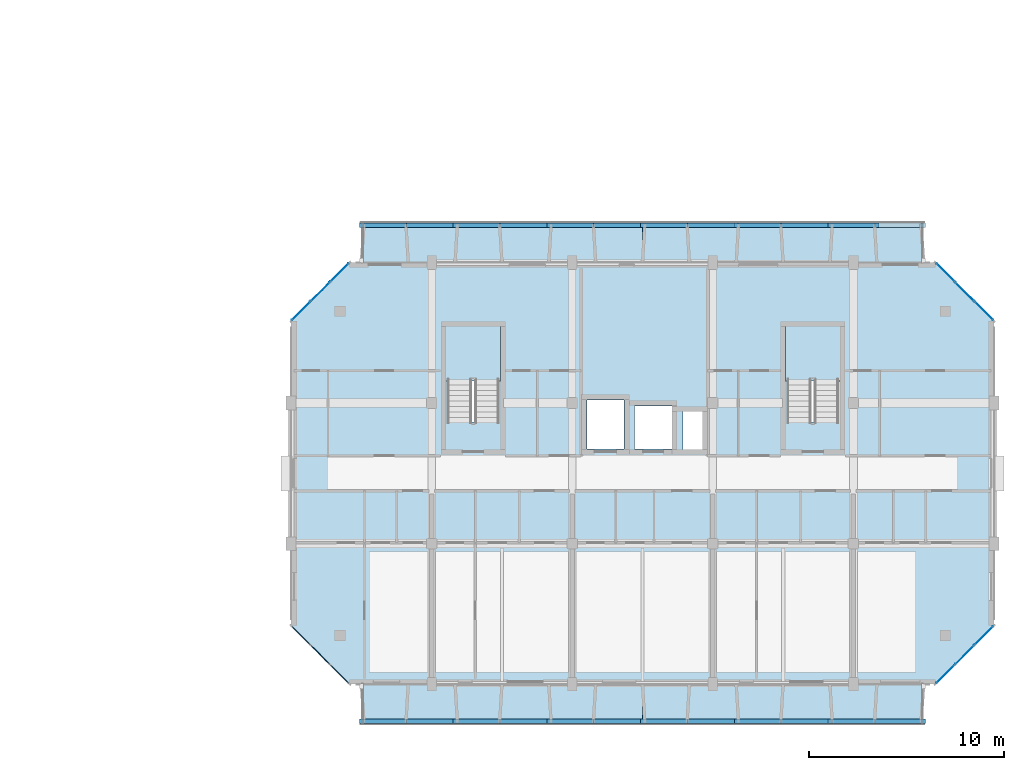
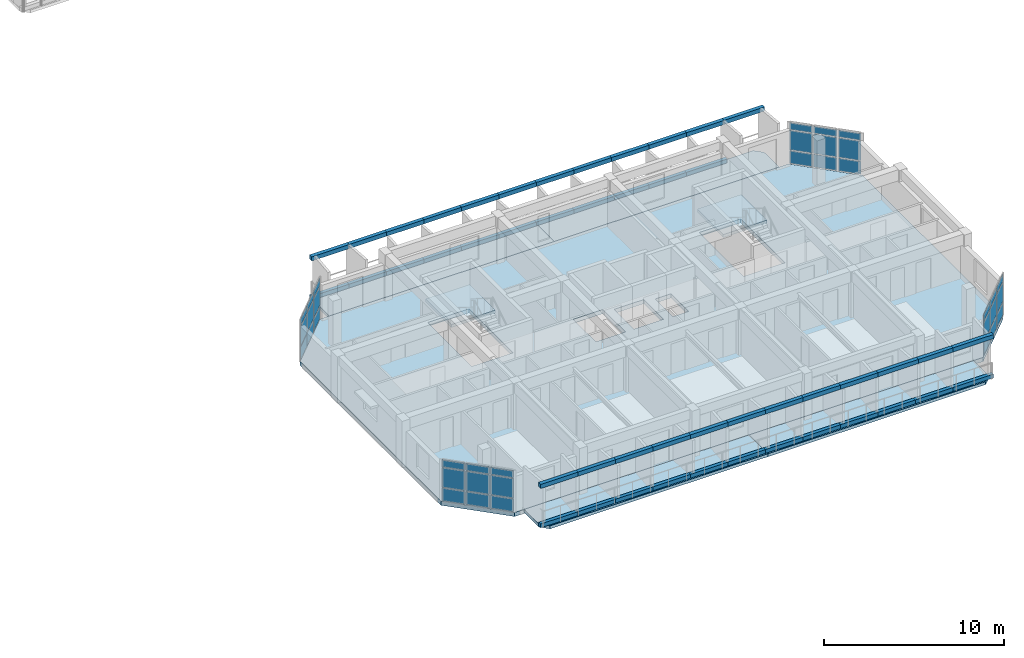
# One storey, part 17 of 51: 83 plates, 7 slabs, 6 elements without a shape of their own.
"""IFC4 building model written with IfcOpenShell, lengths in metres."""

from ifc_helpers import new_model, si_unit, direction, frame, origin, origin_2d, place, context, subcontext, project, spatial, polyline, rectangle, outline, extrude, material, layer, layer_set, type_object, element, aggregate, save


model = new_model("IFC4")

# Units and contexts
model_context = context("Model", 3, precision=1e-05, world=origin(), true_north=direction((0.0, 1.0)))
body_context = subcontext(model_context, "Body", "Model", "MODEL_VIEW")
ifc_project = project(units=[si_unit("LENGTHUNIT", "METRE"), si_unit("AREAUNIT", "SQUARE_METRE"), si_unit("VOLUMEUNIT", "CUBIC_METRE"), si_unit("PLANEANGLEUNIT", "RADIAN"), si_unit("MASSUNIT", "GRAM", prefix="KILO")], contexts=[model_context])

# Site, building, storey
site_placement = place(None, origin())
site = spatial("IfcSite", under=ifc_project, at=site_placement, CompositionType="ELEMENT")
building_placement = place(site_placement, origin())
building = spatial("IfcBuilding", under=site, at=building_placement, Name="Ochrevale Crest", CompositionType="ELEMENT")
storey_placement = place(building_placement, frame((0.0, 0.0, 11.85009765625)))
storey = spatial("IfcBuildingStorey", under=building, at=storey_placement, Name="L03", CompositionType="ELEMENT", Elevation=11.85009765625)

# Curtain wall, plates
ifc_material_1 = material(Name="Anodised aluminium 6063-T5", Category="aluminium")
ifc_layer_1 = layer(ifc_material_1, 0.14990234375)
ifc_layer_set_1 = layer_set([ifc_layer_1], Name="Anodised aluminium 6063-T5")
curtain_wall_type_1 = type_object("IfcCurtainWallType", Name="CW-WG-240x285", PredefinedType="NOTDEFINED", material=ifc_layer_set_1)
curtain_wall_1_placement = place(storey_placement, origin())
curtain_wall_1 = element("IfcCurtainWall", 1, at=curtain_wall_1_placement, inside=storey, type_object=curtain_wall_type_1, Name="Block C L03 chamfered corner wintergarden curtain wall 2", PredefinedType="NOTDEFINED")
ifc_material_2 = material(Name="Double-glazed low-E insulated glass unit", Category="glass")
ifc_layer_2 = layer(ifc_material_2, 0.028076171875)
ifc_layer_set_2 = layer_set([ifc_layer_2], Name="Double-glazed low-E insulated glass unit")
plate_type_1 = type_object("IfcPlateType", Name="CW-PNL-IGU28", PredefinedType="CURTAIN_PANEL", material=ifc_layer_set_2)
plate_1_placement = place(storey_placement, frame((163.11328125, 14.913330078125, 0.06005859375), z_axis=(0.0, 0.0, 1.0), x_axis=(0.707106781187, 0.707106781187, 0.0)))
plate_1 = element("IfcPlate", 2, at=plate_1_placement, type_object=plate_type_1, Name="CW15 panel 1.1", PredefinedType="CURTAIN_PANEL", context=body_context, shape_type="SweptSolid", body=[
    extrude(rectangle(XDim=1.3017578125, YDim=0.028076171875, at=origin_2d()), origin(), (0.0, 0.0, 1.0), 0.860107421875),
])
plate_2_placement = place(storey_placement, frame((163.11328125, 14.913330078125, 0.97998046875), z_axis=(0.0, 0.0, 1.0), x_axis=(0.707106781187, 0.707106781187, 0.0)))
plate_2 = element("IfcPlate", 3, at=plate_2_placement, type_object=plate_type_1, Name="CW15 panel 1.2", PredefinedType="CURTAIN_PANEL", context=body_context, shape_type="SweptSolid", body=[
    extrude(rectangle(XDim=1.3017578125, YDim=0.028076171875, at=origin_2d()), origin(), (0.0, 0.0, 1.0), 1.31494140625),
])
plate_3_placement = place(storey_placement, frame((163.11328125, 14.913330078125, 2.35498046875), z_axis=(0.0, 0.0, 1.0), x_axis=(0.707106781187, 0.707106781187, 0.0)))
plate_3 = element("IfcPlate", 4, at=plate_3_placement, type_object=plate_type_1, Name="CW15 panel 1.3", PredefinedType="CURTAIN_PANEL", context=body_context, shape_type="SweptSolid", body=[
    extrude(rectangle(XDim=1.3017578125, YDim=0.028076171875, at=origin_2d()), origin(), (0.0, 0.0, 1.0), 0.4599609375),
])
plate_4_placement = place(storey_placement, frame((164.10009765625, 15.89990234375, 0.06005859375), z_axis=(0.0, 0.0, 1.0), x_axis=(0.707106781187, 0.707106781187, 0.0)))
plate_4 = element("IfcPlate", 5, at=plate_4_placement, type_object=plate_type_1, Name="CW15 panel 2.1", PredefinedType="CURTAIN_PANEL", context=body_context, shape_type="SweptSolid", body=[
    extrude(rectangle(XDim=1.339111328125, YDim=0.028076171875, at=origin_2d()), origin(), (0.0, 0.0, 1.0), 0.860107421875),
])
plate_5_placement = place(storey_placement, frame((164.10009765625, 15.89990234375, 0.97998046875), z_axis=(0.0, 0.0, 1.0), x_axis=(0.707106781187, 0.707106781187, 0.0)))
plate_5 = element("IfcPlate", 6, at=plate_5_placement, type_object=plate_type_1, Name="CW15 panel 2.2", PredefinedType="CURTAIN_PANEL", context=body_context, shape_type="SweptSolid", body=[
    extrude(rectangle(XDim=1.339111328125, YDim=0.028076171875, at=origin_2d()), origin(), (0.0, 0.0, 1.0), 1.31494140625),
])
plate_6_placement = place(storey_placement, frame((164.10009765625, 15.89990234375, 2.35498046875), z_axis=(0.0, 0.0, 1.0), x_axis=(0.707106781187, 0.707106781187, 0.0)))
plate_6 = element("IfcPlate", 7, at=plate_6_placement, type_object=plate_type_1, Name="CW15 panel 2.3", PredefinedType="CURTAIN_PANEL", context=body_context, shape_type="SweptSolid", body=[
    extrude(rectangle(XDim=1.339111328125, YDim=0.028076171875, at=origin_2d()), origin(), (0.0, 0.0, 1.0), 0.4599609375),
])
plate_7_placement = place(storey_placement, frame((165.086669921875, 16.88671875, 0.06005859375), z_axis=(0.0, 0.0, 1.0), x_axis=(0.707106781187, 0.707106781187, 0.0)))
plate_7 = element("IfcPlate", 8, at=plate_7_placement, type_object=plate_type_1, Name="CW15 panel 3.1", PredefinedType="CURTAIN_PANEL", context=body_context, shape_type="SweptSolid", body=[
    extrude(rectangle(XDim=1.3017578125, YDim=0.028076171875, at=origin_2d()), origin(), (0.0, 0.0, 1.0), 0.860107421875),
])
plate_8_placement = place(storey_placement, frame((165.086669921875, 16.88671875, 0.97998046875), z_axis=(0.0, 0.0, 1.0), x_axis=(0.707106781187, 0.707106781187, 0.0)))
plate_8 = element("IfcPlate", 9, at=plate_8_placement, type_object=plate_type_1, Name="CW15 panel 3.2", PredefinedType="CURTAIN_PANEL", context=body_context, shape_type="SweptSolid", body=[
    extrude(rectangle(XDim=1.3017578125, YDim=0.028076171875, at=origin_2d()), origin(), (0.0, 0.0, 1.0), 1.31494140625),
])
plate_9_placement = place(storey_placement, frame((165.086669921875, 16.88671875, 2.35498046875), z_axis=(0.0, 0.0, 1.0), x_axis=(0.707106781187, 0.707106781187, 0.0)))
plate_9 = element("IfcPlate", 10, at=plate_9_placement, type_object=plate_type_1, Name="CW15 panel 3.3", PredefinedType="CURTAIN_PANEL", context=body_context, shape_type="SweptSolid", body=[
    extrude(rectangle(XDim=1.3017578125, YDim=0.028076171875, at=origin_2d()), origin(), (0.0, 0.0, 1.0), 0.4599609375),
])
aggregate(curtain_wall_1, [plate_1, plate_2, plate_3, plate_4, plate_5, plate_6, plate_7, plate_8, plate_9])

ifc_layer_3 = layer(ifc_material_1, 0.14990234375)
ifc_layer_set_3 = layer_set([ifc_layer_3], Name="Anodised aluminium 6063-T5")
curtain_wall_type_2 = type_object("IfcCurtainWallType", Name="CW-WG-320x285", PredefinedType="NOTDEFINED", material=ifc_layer_set_3)
curtain_wall_2_placement = place(storey_placement, origin())
curtain_wall_2 = element("IfcCurtainWall", 11, at=curtain_wall_2_placement, inside=storey, type_object=curtain_wall_type_2, Name="Block C L03 chamfered corner wintergarden curtain wall 4", PredefinedType="NOTDEFINED")
plate_10_placement = place(storey_placement, frame((165.086669921875, 33.51318359375, 0.06005859375), z_axis=(0.0, 0.0, 1.0), x_axis=(-0.707106781187, 0.707106781187, 0.0)))
plate_10 = element("IfcPlate", 12, at=plate_10_placement, type_object=plate_type_1, Name="CW17 panel 1.1", PredefinedType="CURTAIN_PANEL", context=body_context, shape_type="SweptSolid", body=[
    extrude(rectangle(XDim=1.3017578125, YDim=0.028076171875, at=origin_2d()), origin(), (0.0, 0.0, 1.0), 0.860107421875),
])
plate_11_placement = place(storey_placement, frame((165.086669921875, 33.51318359375, 0.97998046875), z_axis=(0.0, 0.0, 1.0), x_axis=(-0.707106781187, 0.707106781187, 0.0)))
plate_11 = element("IfcPlate", 13, at=plate_11_placement, type_object=plate_type_1, Name="CW17 panel 1.2", PredefinedType="CURTAIN_PANEL", context=body_context, shape_type="SweptSolid", body=[
    extrude(rectangle(XDim=1.3017578125, YDim=0.028076171875, at=origin_2d()), origin(), (0.0, 0.0, 1.0), 1.31494140625),
])
plate_12_placement = place(storey_placement, frame((165.086669921875, 33.51318359375, 2.35498046875), z_axis=(0.0, 0.0, 1.0), x_axis=(-0.707106781187, 0.707106781187, 0.0)))
plate_12 = element("IfcPlate", 14, at=plate_12_placement, type_object=plate_type_1, Name="CW17 panel 1.3", PredefinedType="CURTAIN_PANEL", context=body_context, shape_type="SweptSolid", body=[
    extrude(rectangle(XDim=1.3017578125, YDim=0.028076171875, at=origin_2d()), origin(), (0.0, 0.0, 1.0), 0.4599609375),
])
plate_13_placement = place(storey_placement, frame((164.10009765625, 34.5, 0.06005859375), z_axis=(0.0, 0.0, 1.0), x_axis=(-0.707106781187, 0.707106781187, 0.0)))
plate_13 = element("IfcPlate", 15, at=plate_13_placement, type_object=plate_type_1, Name="CW17 panel 2.1", PredefinedType="CURTAIN_PANEL", context=body_context, shape_type="SweptSolid", body=[
    extrude(rectangle(XDim=1.339111328125, YDim=0.028076171875, at=origin_2d()), origin(), (0.0, 0.0, 1.0), 0.860107421875),
])
plate_14_placement = place(storey_placement, frame((164.10009765625, 34.5, 0.97998046875), z_axis=(0.0, 0.0, 1.0), x_axis=(-0.707106781187, 0.707106781187, 0.0)))
plate_14 = element("IfcPlate", 16, at=plate_14_placement, type_object=plate_type_1, Name="CW17 panel 2.2", PredefinedType="CURTAIN_PANEL", context=body_context, shape_type="SweptSolid", body=[
    extrude(rectangle(XDim=1.339111328125, YDim=0.028076171875, at=origin_2d()), origin(), (0.0, 0.0, 1.0), 1.31494140625),
])
plate_15_placement = place(storey_placement, frame((164.10009765625, 34.5, 2.35498046875), z_axis=(0.0, 0.0, 1.0), x_axis=(-0.707106781187, 0.707106781187, 0.0)))
plate_15 = element("IfcPlate", 17, at=plate_15_placement, type_object=plate_type_1, Name="CW17 panel 2.3", PredefinedType="CURTAIN_PANEL", context=body_context, shape_type="SweptSolid", body=[
    extrude(rectangle(XDim=1.339111328125, YDim=0.028076171875, at=origin_2d()), origin(), (0.0, 0.0, 1.0), 0.4599609375),
])
plate_16_placement = place(storey_placement, frame((163.11328125, 35.48681640625, 0.06005859375), z_axis=(0.0, 0.0, 1.0), x_axis=(-0.707106781187, 0.707106781187, 0.0)))
plate_16 = element("IfcPlate", 18, at=plate_16_placement, type_object=plate_type_1, Name="CW17 panel 3.1", PredefinedType="CURTAIN_PANEL", context=body_context, shape_type="SweptSolid", body=[
    extrude(rectangle(XDim=1.3017578125, YDim=0.028076171875, at=origin_2d()), origin(), (0.0, 0.0, 1.0), 0.860107421875),
])
plate_17_placement = place(storey_placement, frame((163.11328125, 35.48681640625, 0.97998046875), z_axis=(0.0, 0.0, 1.0), x_axis=(-0.707106781187, 0.707106781187, 0.0)))
plate_17 = element("IfcPlate", 19, at=plate_17_placement, type_object=plate_type_1, Name="CW17 panel 3.2", PredefinedType="CURTAIN_PANEL", context=body_context, shape_type="SweptSolid", body=[
    extrude(rectangle(XDim=1.3017578125, YDim=0.028076171875, at=origin_2d()), origin(), (0.0, 0.0, 1.0), 1.31494140625),
])
plate_18_placement = place(storey_placement, frame((163.11328125, 35.48681640625, 2.35498046875), z_axis=(0.0, 0.0, 1.0), x_axis=(-0.707106781187, 0.707106781187, 0.0)))
plate_18 = element("IfcPlate", 20, at=plate_18_placement, type_object=plate_type_1, Name="CW17 panel 3.3", PredefinedType="CURTAIN_PANEL", context=body_context, shape_type="SweptSolid", body=[
    extrude(rectangle(XDim=1.3017578125, YDim=0.028076171875, at=origin_2d()), origin(), (0.0, 0.0, 1.0), 0.4599609375),
])
aggregate(curtain_wall_2, [plate_10, plate_11, plate_12, plate_13, plate_14, plate_15, plate_16, plate_17, plate_18])

ifc_layer_4 = layer(ifc_material_1, 0.14990234375)
ifc_layer_set_4 = layer_set([ifc_layer_4], Name="Anodised aluminium 6063-T5")
curtain_wall_type_3 = type_object("IfcCurtainWallType", Name="CW-WG-420x285", PredefinedType="NOTDEFINED", material=ifc_layer_set_4)
curtain_wall_3_placement = place(storey_placement, origin())
curtain_wall_3 = element("IfcCurtainWall", 21, at=curtain_wall_3_placement, inside=storey, type_object=curtain_wall_type_3, Name="Block C L03 chamfered corner wintergarden curtain wall 6", PredefinedType="NOTDEFINED")
plate_19_placement = place(storey_placement, frame((132.086669921875, 35.48681640625, 0.06005859375), z_axis=(0.0, 0.0, 1.0), x_axis=(-0.707106781187, -0.707106781187, 0.0)))
plate_19 = element("IfcPlate", 22, at=plate_19_placement, type_object=plate_type_1, Name="CW22 panel 1.1", PredefinedType="CURTAIN_PANEL", context=body_context, shape_type="SweptSolid", body=[
    extrude(rectangle(XDim=1.3017578125, YDim=0.028076171875, at=origin_2d()), origin(), (0.0, 0.0, 1.0), 0.860107421875),
])
plate_20_placement = place(storey_placement, frame((132.086669921875, 35.48681640625, 0.97998046875), z_axis=(0.0, 0.0, 1.0), x_axis=(-0.707106781187, -0.707106781187, 0.0)))
plate_20 = element("IfcPlate", 23, at=plate_20_placement, type_object=plate_type_1, Name="CW22 panel 1.2", PredefinedType="CURTAIN_PANEL", context=body_context, shape_type="SweptSolid", body=[
    extrude(rectangle(XDim=1.3017578125, YDim=0.028076171875, at=origin_2d()), origin(), (0.0, 0.0, 1.0), 1.31494140625),
])
plate_21_placement = place(storey_placement, frame((132.086669921875, 35.48681640625, 2.35498046875), z_axis=(0.0, 0.0, 1.0), x_axis=(-0.707106781187, -0.707106781187, 0.0)))
plate_21 = element("IfcPlate", 24, at=plate_21_placement, type_object=plate_type_1, Name="CW22 panel 1.3", PredefinedType="CURTAIN_PANEL", context=body_context, shape_type="SweptSolid", body=[
    extrude(rectangle(XDim=1.3017578125, YDim=0.028076171875, at=origin_2d()), origin(), (0.0, 0.0, 1.0), 0.4599609375),
])
plate_22_placement = place(storey_placement, frame((131.10009765625, 34.5, 0.06005859375), z_axis=(0.0, 0.0, 1.0), x_axis=(-0.707106781187, -0.707106781187, 0.0)))
plate_22 = element("IfcPlate", 25, at=plate_22_placement, type_object=plate_type_1, Name="CW22 panel 2.1", PredefinedType="CURTAIN_PANEL", context=body_context, shape_type="SweptSolid", body=[
    extrude(rectangle(XDim=1.339111328125, YDim=0.028076171875, at=origin_2d()), origin(), (0.0, 0.0, 1.0), 0.860107421875),
])
plate_23_placement = place(storey_placement, frame((131.10009765625, 34.5, 0.97998046875), z_axis=(0.0, 0.0, 1.0), x_axis=(-0.707106781187, -0.707106781187, 0.0)))
plate_23 = element("IfcPlate", 26, at=plate_23_placement, type_object=plate_type_1, Name="CW22 panel 2.2", PredefinedType="CURTAIN_PANEL", context=body_context, shape_type="SweptSolid", body=[
    extrude(rectangle(XDim=1.339111328125, YDim=0.028076171875, at=origin_2d()), origin(), (0.0, 0.0, 1.0), 1.31494140625),
])
plate_24_placement = place(storey_placement, frame((131.10009765625, 34.5, 2.35498046875), z_axis=(0.0, 0.0, 1.0), x_axis=(-0.707106781187, -0.707106781187, 0.0)))
plate_24 = element("IfcPlate", 27, at=plate_24_placement, type_object=plate_type_1, Name="CW22 panel 2.3", PredefinedType="CURTAIN_PANEL", context=body_context, shape_type="SweptSolid", body=[
    extrude(rectangle(XDim=1.339111328125, YDim=0.028076171875, at=origin_2d()), origin(), (0.0, 0.0, 1.0), 0.4599609375),
])
plate_25_placement = place(storey_placement, frame((130.11328125, 33.51318359375, 0.06005859375), z_axis=(0.0, 0.0, 1.0), x_axis=(-0.707106781187, -0.707106781187, 0.0)))
plate_25 = element("IfcPlate", 28, at=plate_25_placement, type_object=plate_type_1, Name="CW22 panel 3.1", PredefinedType="CURTAIN_PANEL", context=body_context, shape_type="SweptSolid", body=[
    extrude(rectangle(XDim=1.3017578125, YDim=0.028076171875, at=origin_2d()), origin(), (0.0, 0.0, 1.0), 0.860107421875),
])
plate_26_placement = place(storey_placement, frame((130.11328125, 33.51318359375, 0.97998046875), z_axis=(0.0, 0.0, 1.0), x_axis=(-0.707106781187, -0.707106781187, 0.0)))
plate_26 = element("IfcPlate", 29, at=plate_26_placement, type_object=plate_type_1, Name="CW22 panel 3.2", PredefinedType="CURTAIN_PANEL", context=body_context, shape_type="SweptSolid", body=[
    extrude(rectangle(XDim=1.3017578125, YDim=0.028076171875, at=origin_2d()), origin(), (0.0, 0.0, 1.0), 1.31494140625),
])
plate_27_placement = place(storey_placement, frame((130.11328125, 33.51318359375, 2.35498046875), z_axis=(0.0, 0.0, 1.0), x_axis=(-0.707106781187, -0.707106781187, 0.0)))
plate_27 = element("IfcPlate", 30, at=plate_27_placement, type_object=plate_type_1, Name="CW22 panel 3.3", PredefinedType="CURTAIN_PANEL", context=body_context, shape_type="SweptSolid", body=[
    extrude(rectangle(XDim=1.3017578125, YDim=0.028076171875, at=origin_2d()), origin(), (0.0, 0.0, 1.0), 0.4599609375),
])
aggregate(curtain_wall_3, [plate_19, plate_20, plate_21, plate_22, plate_23, plate_24, plate_25, plate_26, plate_27])

ifc_layer_5 = layer(ifc_material_1, 0.14990234375)
ifc_layer_set_5 = layer_set([ifc_layer_5], Name="Anodised aluminium 6063-T5")
curtain_wall_type_4 = type_object("IfcCurtainWallType", Name="CW-WG-280x285", PredefinedType="NOTDEFINED", material=ifc_layer_set_5)
curtain_wall_4_placement = place(storey_placement, origin())
curtain_wall_4 = element("IfcCurtainWall", 31, at=curtain_wall_4_placement, inside=storey, type_object=curtain_wall_type_4, Name="Block C L03 chamfered corner wintergarden curtain wall 8", PredefinedType="NOTDEFINED")
ifc_material_3 = material(Name="Acoustic laminated low-E insulated glass unit", Category="glass")
ifc_layer_6 = layer(ifc_material_3, 0.0380859375)
ifc_layer_set_6 = layer_set([ifc_layer_6], Name="Acoustic laminated low-E insulated glass unit")
plate_type_2 = type_object("IfcPlateType", Name="CW-PNL-IGU38", PredefinedType="CURTAIN_PANEL", material=ifc_layer_set_6)
plate_28_placement = place(storey_placement, frame((130.11328125, 16.88671875, 0.06005859375), z_axis=(0.0, 0.0, 1.0), x_axis=(0.707106781187, -0.707106781187, 0.0)))
plate_28 = element("IfcPlate", 32, at=plate_28_placement, type_object=plate_type_2, Name="CW16 panel 1.1", PredefinedType="CURTAIN_PANEL", context=body_context, shape_type="SweptSolid", body=[
    extrude(rectangle(XDim=1.3017578125, YDim=0.0380859375, at=origin_2d()), origin(), (0.0, 0.0, 1.0), 0.860107421875),
])
plate_29_placement = place(storey_placement, frame((130.11328125, 16.88671875, 0.97998046875), z_axis=(0.0, 0.0, 1.0), x_axis=(0.707106781187, -0.707106781187, 0.0)))
plate_29 = element("IfcPlate", 33, at=plate_29_placement, type_object=plate_type_2, Name="CW16 panel 1.2", PredefinedType="CURTAIN_PANEL", context=body_context, shape_type="SweptSolid", body=[
    extrude(rectangle(XDim=1.3017578125, YDim=0.0380859375, at=origin_2d()), origin(), (0.0, 0.0, 1.0), 1.31494140625),
])
plate_30_placement = place(storey_placement, frame((130.11328125, 16.88671875, 2.35498046875), z_axis=(0.0, 0.0, 1.0), x_axis=(0.707106781187, -0.707106781187, 0.0)))
plate_30 = element("IfcPlate", 34, at=plate_30_placement, type_object=plate_type_2, Name="CW16 panel 1.3", PredefinedType="CURTAIN_PANEL", context=body_context, shape_type="SweptSolid", body=[
    extrude(rectangle(XDim=1.3017578125, YDim=0.0380859375, at=origin_2d()), origin(), (0.0, 0.0, 1.0), 0.4599609375),
])
plate_31_placement = place(storey_placement, frame((131.10009765625, 15.89990234375, 0.06005859375), z_axis=(0.0, 0.0, 1.0), x_axis=(0.707106781187, -0.707106781187, 0.0)))
plate_31 = element("IfcPlate", 35, at=plate_31_placement, type_object=plate_type_2, Name="CW16 panel 2.1", PredefinedType="CURTAIN_PANEL", context=body_context, shape_type="SweptSolid", body=[
    extrude(rectangle(XDim=1.339111328125, YDim=0.0380859375, at=origin_2d()), origin(), (0.0, 0.0, 1.0), 0.860107421875),
])
plate_32_placement = place(storey_placement, frame((131.10009765625, 15.89990234375, 0.97998046875), z_axis=(0.0, 0.0, 1.0), x_axis=(0.707106781187, -0.707106781187, 0.0)))
plate_32 = element("IfcPlate", 36, at=plate_32_placement, type_object=plate_type_2, Name="CW16 panel 2.2", PredefinedType="CURTAIN_PANEL", context=body_context, shape_type="SweptSolid", body=[
    extrude(rectangle(XDim=1.339111328125, YDim=0.0380859375, at=origin_2d()), origin(), (0.0, 0.0, 1.0), 1.31494140625),
])
plate_33_placement = place(storey_placement, frame((131.10009765625, 15.89990234375, 2.35498046875), z_axis=(0.0, 0.0, 1.0), x_axis=(0.707106781187, -0.707106781187, 0.0)))
plate_33 = element("IfcPlate", 37, at=plate_33_placement, type_object=plate_type_2, Name="CW16 panel 2.3", PredefinedType="CURTAIN_PANEL", context=body_context, shape_type="SweptSolid", body=[
    extrude(rectangle(XDim=1.339111328125, YDim=0.0380859375, at=origin_2d()), origin(), (0.0, 0.0, 1.0), 0.4599609375),
])
plate_34_placement = place(storey_placement, frame((132.086669921875, 14.913330078125, 0.06005859375), z_axis=(0.0, 0.0, 1.0), x_axis=(0.707106781187, -0.707106781187, 0.0)))
plate_34 = element("IfcPlate", 38, at=plate_34_placement, type_object=plate_type_2, Name="CW16 panel 3.1", PredefinedType="CURTAIN_PANEL", context=body_context, shape_type="SweptSolid", body=[
    extrude(rectangle(XDim=1.3017578125, YDim=0.0380859375, at=origin_2d()), origin(), (0.0, 0.0, 1.0), 0.860107421875),
])
plate_35_placement = place(storey_placement, frame((132.086669921875, 14.913330078125, 0.97998046875), z_axis=(0.0, 0.0, 1.0), x_axis=(0.707106781187, -0.707106781187, 0.0)))
plate_35 = element("IfcPlate", 39, at=plate_35_placement, type_object=plate_type_2, Name="CW16 panel 3.2", PredefinedType="CURTAIN_PANEL", context=body_context, shape_type="SweptSolid", body=[
    extrude(rectangle(XDim=1.3017578125, YDim=0.0380859375, at=origin_2d()), origin(), (0.0, 0.0, 1.0), 1.31494140625),
])
plate_36_placement = place(storey_placement, frame((132.086669921875, 14.913330078125, 2.35498046875), z_axis=(0.0, 0.0, 1.0), x_axis=(0.707106781187, -0.707106781187, 0.0)))
plate_36 = element("IfcPlate", 40, at=plate_36_placement, type_object=plate_type_2, Name="CW16 panel 3.3", PredefinedType="CURTAIN_PANEL", context=body_context, shape_type="SweptSolid", body=[
    extrude(rectangle(XDim=1.3017578125, YDim=0.0380859375, at=origin_2d()), origin(), (0.0, 0.0, 1.0), 0.4599609375),
])
aggregate(curtain_wall_4, [plate_28, plate_29, plate_30, plate_31, plate_32, plate_33, plate_34, plate_35, plate_36])

# Plates
ifc_material_4 = material(Name="Precast concrete C40/50", Category="concrete")
ifc_layer_7 = layer(ifc_material_4, 0.06005859375)
ifc_layer_set_7 = layer_set([ifc_layer_7], Name="Precast concrete C40/50")
plate_type_3 = type_object("IfcPlateType", Name="PLT-HC-HEAD-60", PredefinedType="USERDEFINED", material=ifc_layer_set_7)
for number, where, z_axis, x_axis, name in (
    (41, (134.39990234375, 12.5, 2.669921875), (0.0, 0.0, 1.0), (1.0, 0.0, 0.0), "Block C L03 S honeycomb arched lintel fascia 1"),
    (42, (136.800048828125, 12.5, 2.669921875), (0.0, 0.0, 1.0), (1.0, 0.0, 0.0), "Block C L03 S honeycomb arched lintel fascia 2"),
    (43, (139.199951171875, 12.5, 2.669921875), (0.0, 0.0, 1.0), (1.0, 0.0, 0.0), "Block C L03 S honeycomb arched lintel fascia 3"),
    (44, (141.60009765625, 12.5, 2.669921875), (0.0, 0.0, 1.0), (1.0, 0.0, 0.0), "Block C L03 S honeycomb arched lintel fascia 4"),
    (45, (144.0, 12.5, 2.669921875), (0.0, 0.0, 1.0), (1.0, 0.0, 0.0), "Block C L03 S honeycomb arched lintel fascia 5"),
    (46, (146.39990234375, 12.5, 2.669921875), (0.0, 0.0, 1.0), (1.0, 0.0, 0.0), "Block C L03 S honeycomb arched lintel fascia 6"),
    (47, (148.800048828125, 12.5, 2.669921875), (0.0, 0.0, 1.0), (1.0, 0.0, 0.0), "Block C L03 S honeycomb arched lintel fascia 7"),
    (48, (151.199951171875, 12.5, 2.669921875), (0.0, 0.0, 1.0), (1.0, 0.0, 0.0), "Block C L03 S honeycomb arched lintel fascia 8"),
    (49, (153.60009765625, 12.5, 2.669921875), (0.0, 0.0, 1.0), (1.0, 0.0, 0.0), "Block C L03 S honeycomb arched lintel fascia 9"),
    (50, (156.0, 12.5, 2.669921875), (0.0, 0.0, 1.0), (1.0, 0.0, 0.0), "Block C L03 S honeycomb arched lintel fascia 10"),
    (51, (158.39990234375, 12.5, 2.669921875), (0.0, 0.0, 1.0), (1.0, 0.0, 0.0), "Block C L03 S honeycomb arched lintel fascia 11"),
    (52, (160.800048828125, 12.5, 2.669921875), (0.0, 0.0, 1.0), (1.0, 0.0, 0.0), "Block C L03 S honeycomb arched lintel fascia 12"),
    (53, (134.39990234375, 37.89990234375, 2.669921875), (0.0, 0.0, 1.0), (1.0, 0.0, 0.0), "Block C L03 N honeycomb arched lintel fascia 1"),
    (54, (136.800048828125, 37.89990234375, 2.669921875), (0.0, 0.0, 1.0), (1.0, 0.0, 0.0), "Block C L03 N honeycomb arched lintel fascia 2"),
    (55, (139.199951171875, 37.89990234375, 2.669921875), (0.0, 0.0, 1.0), (1.0, 0.0, 0.0), "Block C L03 N honeycomb arched lintel fascia 3"),
    (56, (141.60009765625, 37.89990234375, 2.669921875), (0.0, 0.0, 1.0), (1.0, 0.0, 0.0), "Block C L03 N honeycomb arched lintel fascia 4"),
    (57, (144.0, 37.89990234375, 2.669921875), (0.0, 0.0, 1.0), (1.0, 0.0, 0.0), "Block C L03 N honeycomb arched lintel fascia 5"),
    (58, (146.39990234375, 37.89990234375, 2.669921875), (0.0, 0.0, 1.0), (1.0, 0.0, 0.0), "Block C L03 N honeycomb arched lintel fascia 6"),
    (59, (148.800048828125, 37.89990234375, 2.669921875), (0.0, 0.0, 1.0), (1.0, 0.0, 0.0), "Block C L03 N honeycomb arched lintel fascia 7"),
    (60, (151.199951171875, 37.89990234375, 2.669921875), (0.0, 0.0, 1.0), (1.0, 0.0, 0.0), "Block C L03 N honeycomb arched lintel fascia 8"),
    (61, (153.60009765625, 37.89990234375, 2.669921875), (0.0, 0.0, 1.0), (1.0, 0.0, 0.0), "Block C L03 N honeycomb arched lintel fascia 9"),
    (62, (156.0, 37.89990234375, 2.669921875), (0.0, 0.0, 1.0), (1.0, 0.0, 0.0), "Block C L03 N honeycomb arched lintel fascia 10"),
    (63, (158.39990234375, 37.89990234375, 2.669921875), (0.0, 0.0, 1.0), (1.0, 0.0, 0.0), "Block C L03 N honeycomb arched lintel fascia 11"),
    (64, (160.800048828125, 37.89990234375, 2.669921875), (0.0, 0.0, 1.0), (1.0, 0.0, 0.0), "Block C L03 N honeycomb arched lintel fascia 12"),
):
    element("IfcPlate", number, at=place(storey_placement, frame(where, z_axis=z_axis, x_axis=x_axis)), inside=storey, type_object=plate_type_3, Name=name, ObjectType="FACADE FASCIA PLATE", PredefinedType="USERDEFINED", context=body_context, shape_type="SweptSolid", body=[
        extrude(rectangle(XDim=2.60009765625, YDim=0.239990234375, at=origin_2d()), origin(), (0.0, 0.0, 1.0), 0.280029296875),
    ])
ifc_layer_8 = layer(ifc_material_4, 0.044921875)
ifc_layer_set_8 = layer_set([ifc_layer_8], Name="Precast concrete C40/50")
plate_type_4 = type_object("IfcPlateType", Name="PLT-HC-SILL-45", PredefinedType="USERDEFINED", material=ifc_layer_set_8)
for number, where, z_axis, x_axis, name in (
    (65, (134.39990234375, 12.5, 0.0), (0.0, 0.0, 1.0), (1.0, 0.0, 0.0), "Block C L03 S honeycomb sill coping plate 1"),
    (66, (136.800048828125, 12.5, 0.0), (0.0, 0.0, 1.0), (1.0, 0.0, 0.0), "Block C L03 S honeycomb sill coping plate 2"),
    (67, (139.199951171875, 12.5, 0.0), (0.0, 0.0, 1.0), (1.0, 0.0, 0.0), "Block C L03 S honeycomb sill coping plate 3"),
    (68, (141.60009765625, 12.5, 0.0), (0.0, 0.0, 1.0), (1.0, 0.0, 0.0), "Block C L03 S honeycomb sill coping plate 4"),
    (69, (144.0, 12.5, 0.0), (0.0, 0.0, 1.0), (1.0, 0.0, 0.0), "Block C L03 S honeycomb sill coping plate 5"),
    (70, (146.39990234375, 12.5, 0.0), (0.0, 0.0, 1.0), (1.0, 0.0, 0.0), "Block C L03 S honeycomb sill coping plate 6"),
    (71, (148.800048828125, 12.5, 0.0), (0.0, 0.0, 1.0), (1.0, 0.0, 0.0), "Block C L03 S honeycomb sill coping plate 7"),
    (72, (151.199951171875, 12.5, 0.0), (0.0, 0.0, 1.0), (1.0, 0.0, 0.0), "Block C L03 S honeycomb sill coping plate 8"),
    (73, (153.60009765625, 12.5, 0.0), (0.0, 0.0, 1.0), (1.0, 0.0, 0.0), "Block C L03 S honeycomb sill coping plate 9"),
    (74, (156.0, 12.5, 0.0), (0.0, 0.0, 1.0), (1.0, 0.0, 0.0), "Block C L03 S honeycomb sill coping plate 10"),
    (75, (158.39990234375, 12.5, 0.0), (0.0, 0.0, 1.0), (1.0, 0.0, 0.0), "Block C L03 S honeycomb sill coping plate 11"),
    (76, (160.800048828125, 12.5, 0.0), (0.0, 0.0, 1.0), (1.0, 0.0, 0.0), "Block C L03 S honeycomb sill coping plate 12"),
    (77, (134.39990234375, 37.89990234375, 0.0), (0.0, 0.0, 1.0), (1.0, 0.0, 0.0), "Block C L03 N honeycomb sill coping plate 1"),
    (78, (136.800048828125, 37.89990234375, 0.0), (0.0, 0.0, 1.0), (1.0, 0.0, 0.0), "Block C L03 N honeycomb sill coping plate 2"),
    (79, (139.199951171875, 37.89990234375, 0.0), (0.0, 0.0, 1.0), (1.0, 0.0, 0.0), "Block C L03 N honeycomb sill coping plate 3"),
    (80, (141.60009765625, 37.89990234375, 0.0), (0.0, 0.0, 1.0), (1.0, 0.0, 0.0), "Block C L03 N honeycomb sill coping plate 4"),
    (81, (144.0, 37.89990234375, 0.0), (0.0, 0.0, 1.0), (1.0, 0.0, 0.0), "Block C L03 N honeycomb sill coping plate 5"),
    (82, (146.39990234375, 37.89990234375, 0.0), (0.0, 0.0, 1.0), (1.0, 0.0, 0.0), "Block C L03 N honeycomb sill coping plate 6"),
    (83, (148.800048828125, 37.89990234375, 0.0), (0.0, 0.0, 1.0), (1.0, 0.0, 0.0), "Block C L03 N honeycomb sill coping plate 7"),
    (84, (151.199951171875, 37.89990234375, 0.0), (0.0, 0.0, 1.0), (1.0, 0.0, 0.0), "Block C L03 N honeycomb sill coping plate 8"),
    (85, (153.60009765625, 37.89990234375, 0.0), (0.0, 0.0, 1.0), (1.0, 0.0, 0.0), "Block C L03 N honeycomb sill coping plate 9"),
    (86, (156.0, 37.89990234375, 0.0), (0.0, 0.0, 1.0), (1.0, 0.0, 0.0), "Block C L03 N honeycomb sill coping plate 10"),
    (87, (158.39990234375, 37.89990234375, 0.0), (0.0, 0.0, 1.0), (1.0, 0.0, 0.0), "Block C L03 N honeycomb sill coping plate 11"),
):
    element("IfcPlate", number, at=place(storey_placement, frame(where, z_axis=z_axis, x_axis=x_axis)), inside=storey, type_object=plate_type_4, Name=name, ObjectType="SILL COPING PLATE", PredefinedType="USERDEFINED", context=body_context, shape_type="SweptSolid", body=[
        extrude(rectangle(XDim=2.60009765625, YDim=0.219970703125, at=origin_2d()), origin(), (0.0, 0.0, 1.0), 0.260009765625),
    ])

# Slabs
ifc_layer_9 = layer(ifc_material_4, 0.199951171875)
ifc_layer_set_9 = layer_set([ifc_layer_9], Name="Precast concrete C40/50")
slab_type_1 = type_object("IfcSlabType", Name="SLB-BAL-200", PredefinedType="FLOOR", material=ifc_layer_set_9)
slab_1_placement = place(storey_placement, frame((0.0, 0.0, -0.2001953125)))
element("IfcSlab", 88, at=slab_1_placement, inside=storey, type_object=slab_type_1, Name="Block C L03 S1 precast loggia balcony slab", PredefinedType="FLOOR", context=body_context, shape_type="SweptSolid", body=[
    extrude(outline(polyline([(133.64990234375, 12.300048828125), (147.60009765625, 12.300048828125), (147.60009765625, 14.39990234375), (133.199951171875, 14.39990234375), (133.199951171875, 12.75), (133.64990234375, 12.300048828125)])), origin(), (0.0, 0.0, 1.0), 0.2001953125),
])
slab_2_placement = place(storey_placement, frame((0.0, 0.0, -0.2001953125)))
element("IfcSlab", 89, at=slab_2_placement, inside=storey, type_object=slab_type_1, Name="Block C L03 S2 precast loggia balcony slab", PredefinedType="FLOOR", context=body_context, shape_type="SweptSolid", body=[
    extrude(outline(polyline([(147.60009765625, 12.300048828125), (161.550048828125, 12.300048828125), (162.0, 12.75), (162.0, 14.39990234375), (147.60009765625, 14.39990234375), (147.60009765625, 12.300048828125)])), origin(), (0.0, 0.0, 1.0), 0.2001953125),
])
slab_3_placement = place(storey_placement, frame((0.0, 0.0, -0.2001953125)))
element("IfcSlab", 90, at=slab_3_placement, inside=storey, type_object=slab_type_1, Name="Block C L03 N1 precast loggia balcony slab", PredefinedType="FLOOR", context=body_context, shape_type="SweptSolid", body=[
    extrude(outline(polyline([(133.199951171875, 36.0), (147.60009765625, 36.0), (147.60009765625, 38.10009765625), (133.64990234375, 38.10009765625), (133.199951171875, 37.64990234375), (133.199951171875, 36.0)])), origin(), (0.0, 0.0, 1.0), 0.2001953125),
])
slab_4_placement = place(storey_placement, frame((0.0, 0.0, -0.2001953125)))
element("IfcSlab", 91, at=slab_4_placement, inside=storey, type_object=slab_type_1, Name="Block C L03 N2 precast loggia balcony slab", PredefinedType="FLOOR", context=body_context, shape_type="SweptSolid", body=[
    extrude(outline(polyline([(147.60009765625, 36.0), (162.0, 36.0), (162.0, 37.64990234375), (161.550048828125, 38.10009765625), (147.60009765625, 38.10009765625), (147.60009765625, 36.0)])), origin(), (0.0, 0.0, 1.0), 0.2001953125),
])
ifc_layer_10 = layer(ifc_material_4, 0.27490234375)
ifc_layer_set_10 = layer_set([ifc_layer_10], Name="Precast concrete C40/50")
slab_type_2 = type_object("IfcSlabType", Name="SLB-RES-275", PredefinedType="FLOOR", material=ifc_layer_set_10)
slab_5_placement = place(storey_placement, frame((0.0, 0.0, -0.275146484375)))
element("IfcSlab", 92, at=slab_5_placement, inside=storey, type_object=slab_type_2, Name="Block C L03 composite hollowcore floor slab", PredefinedType="FLOOR", context=body_context, shape_type="SweptSolid", body=[
    extrude(outline(polyline([(132.60009765625, 14.39990234375), (162.60009765625, 14.39990234375), (165.60009765625, 17.39990234375), (165.60009765625, 33.0), (162.60009765625, 36.0), (132.60009765625, 36.0), (129.60009765625, 33.0), (129.60009765625, 17.39990234375), (132.60009765625, 14.39990234375)]), holes=[polyline([(140.25, 27.824951171875), (140.25, 32.72509765625), (137.60009765625, 32.72509765625), (137.60009765625, 27.824951171875), (140.25, 27.824951171875)]), polyline([(157.64990234375, 27.824951171875), (157.64990234375, 32.72509765625), (155.0, 32.72509765625), (155.0, 27.824951171875), (157.64990234375, 27.824951171875)]), polyline([(144.75, 26.449951171875), (146.64990234375, 26.449951171875), (146.64990234375, 28.949951171875), (144.75, 28.949951171875), (144.75, 26.449951171875)]), polyline([(147.199951171875, 26.449951171875), (149.10009765625, 26.449951171875), (149.10009765625, 28.64990234375), (147.199951171875, 28.64990234375), (147.199951171875, 26.449951171875)]), polyline([(149.669921875, 26.419921875), (150.679931640625, 26.419921875), (150.679931640625, 28.3798828125), (149.669921875, 28.3798828125), (149.669921875, 26.419921875)])]), origin(), (0.0, 0.0, 1.0), 0.275146484375),
])

# Stair, slab
stair_type = type_object("IfcStairType", Name="ST-CORE-DOG", PredefinedType="HALF_TURN_STAIR", material=ifc_material_4)
stair_1_placement = place(storey_placement, origin())
stair_1 = element("IfcStair", 93, at=stair_1_placement, inside=storey, type_object=stair_type, Name="L03 Block C Fire Stair 1", PredefinedType="HALF_TURN_STAIR")
ifc_layer_11 = layer(ifc_material_4, 0.199951171875)
ifc_layer_set_11 = layer_set([ifc_layer_11], Name="Precast concrete C40/50")
slab_type_3 = type_object("IfcSlabType", Name="SLB-ST-LAND", PredefinedType="LANDING", material=ifc_layer_set_11)
slab_6_placement = place(storey_placement, frame((0.0, 0.0, 1.375)))
slab_6 = element("IfcSlab", 94, at=slab_6_placement, type_object=slab_type_3, Name="ST-C1 landing 1", PredefinedType="LANDING", context=body_context, shape_type="SweptSolid", body=[
    extrude(outline(polyline([(140.330078125, 29.93505859375), (140.330078125, 32.804931640625), (137.52001953125, 32.804931640625), (137.52001953125, 29.93505859375), (140.330078125, 29.93505859375)])), origin(), (0.0, 0.0, 1.0), 0.199951171875),
])
aggregate(stair_1, [slab_6])

stair_2_placement = place(storey_placement, origin())
stair_2 = element("IfcStair", 95, at=stair_2_placement, inside=storey, type_object=stair_type, Name="L03 Block C Fire Stair 2", PredefinedType="HALF_TURN_STAIR")
slab_7_placement = place(storey_placement, frame((0.0, 0.0, 1.375)))
slab_7 = element("IfcSlab", 96, at=slab_7_placement, type_object=slab_type_3, Name="ST-C2 landing 1", PredefinedType="LANDING", context=body_context, shape_type="SweptSolid", body=[
    extrude(outline(polyline([(157.72998046875, 29.93505859375), (157.72998046875, 32.804931640625), (154.919921875, 32.804931640625), (154.919921875, 29.93505859375), (157.72998046875, 29.93505859375)])), origin(), (0.0, 0.0, 1.0), 0.199951171875),
])
aggregate(stair_2, [slab_7])

save(model, "model.ifc")
